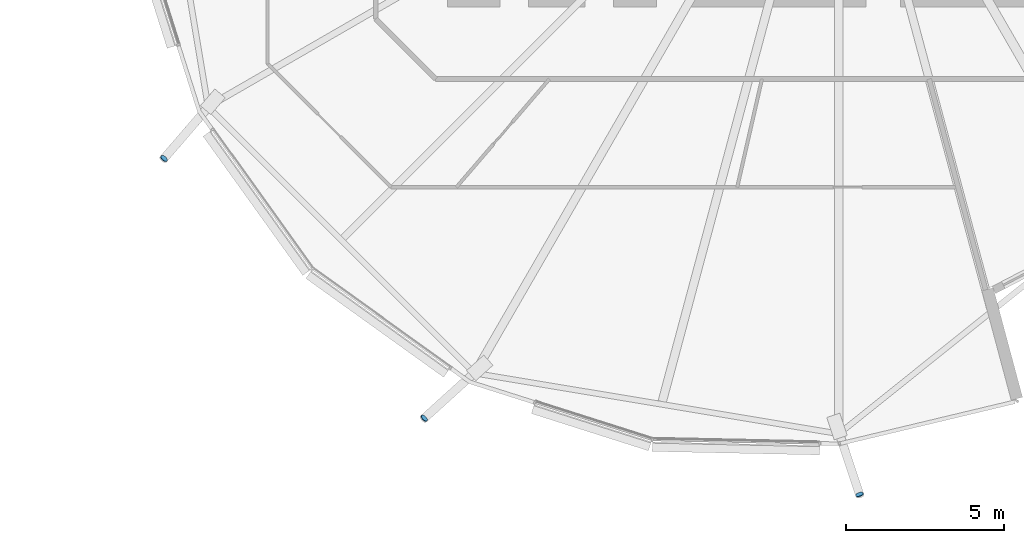
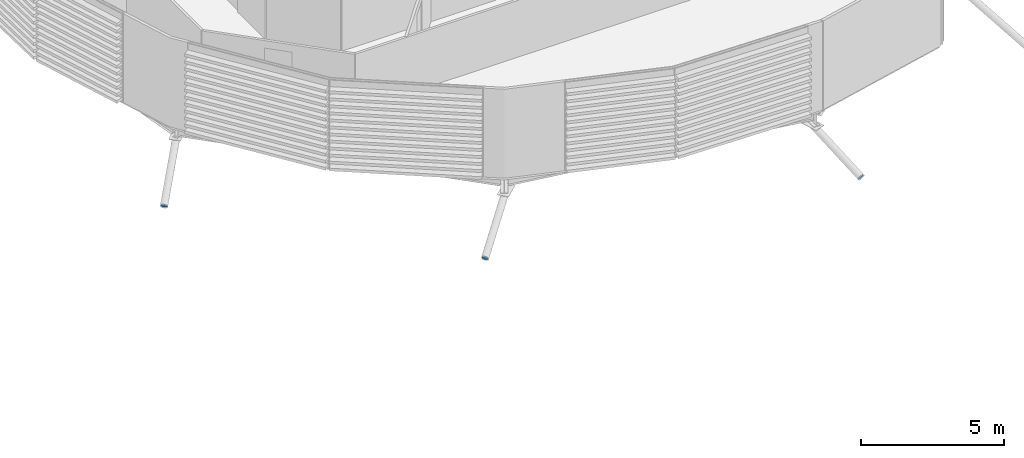
# One storey, part 30 of 39: 3 discrete accessories.
"""IFC4 building model written with IfcOpenShell, lengths in metres."""

from ifc_helpers import new_model, si_unit, direction, frame, origin, origin_2d, place, context, subcontext, project, spatial, circle, extrude, material, material_profile, profile_set, type_object, element, save


model = new_model("IFC4")

# Units and contexts
model_context = context("Model", 3, precision=1e-05, world=origin(), true_north=direction((0.0, 1.0)))
body_context = subcontext(model_context, "Body", "Model", "MODEL_VIEW")
ifc_project = project(units=[si_unit("LENGTHUNIT", "METRE"), si_unit("AREAUNIT", "SQUARE_METRE"), si_unit("VOLUMEUNIT", "CUBIC_METRE"), si_unit("PLANEANGLEUNIT", "RADIAN"), si_unit("MASSUNIT", "GRAM", prefix="KILO")], contexts=[model_context])

# Site, building, storey
site_placement = place(None, origin())
site = spatial("IfcSite", under=ifc_project, at=site_placement, CompositionType="ELEMENT")
building_placement = place(site_placement, origin())
building = spatial("IfcBuilding", under=site, at=building_placement, Name="Rimbun Link Towers", CompositionType="ELEMENT")
storey_placement = place(building_placement, frame((0.0, 0.0, 96.800048828125)))
storey = spatial("IfcBuildingStorey", under=building, at=storey_placement, Name="L23", CompositionType="ELEMENT", Elevation=96.800048828125)

# Discrete accessories
ifc_material = material(Name="Steel S355J2H", Category="steel")
ifc_material_profile = material_profile(ifc_material, circle(Radius=0.1240234375, at=origin_2d()), Name="PL D248")
ifc_profile_set = profile_set([ifc_material_profile], Name="Steel S355J2H")
discrete_accessory_type = type_object("IfcDiscreteAccessoryType", Name="Link foot sealing plate D248X20", PredefinedType="BRACKET", material=ifc_profile_set)
for number, where, z_axis, x_axis, name in (
    (1, (10.408203125, -13.158447265625, -2.096435546875), (-0.570714576895, -0.643571756924, -0.510000260204), (0.748187660157, -0.663487170328, 0.0), "Link foot sealing plate T2 L23 11"),
    (2, (18.64013671875, -21.373291015625, -2.226318359375), (-0.646005289952, -0.597250173729, -0.475362383172), (0.678855308406, -0.734272068275, 0.0), "Link foot sealing plate T2 L23 13"),
    (3, (32.4013671875, -23.78369140625, -2.12548828125), (0.2802794651, -0.840838395299, -0.4630704206), (0.948683298051, 0.316227766017, 0.0), "Link foot sealing plate T2 L23 15"),
):
    element("IfcDiscreteAccessory", number, at=place(storey_placement, frame(where, z_axis=z_axis, x_axis=x_axis)), inside=storey, type_object=discrete_accessory_type, Name=name, PredefinedType="BRACKET", context=body_context, shape_type="SweptSolid", body=[
        extrude(circle(Radius=0.1240234375, at=origin_2d()), origin(), (0.0, 0.0, 1.0), 0.02001953125),
    ])

save(model, "model.ifc")
